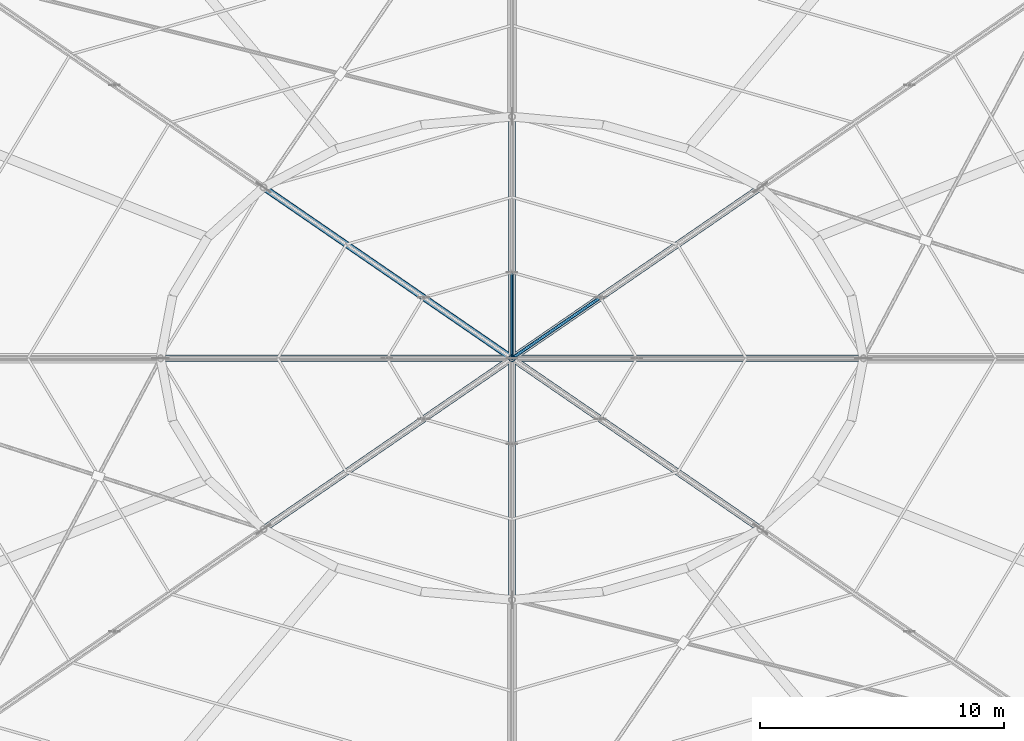
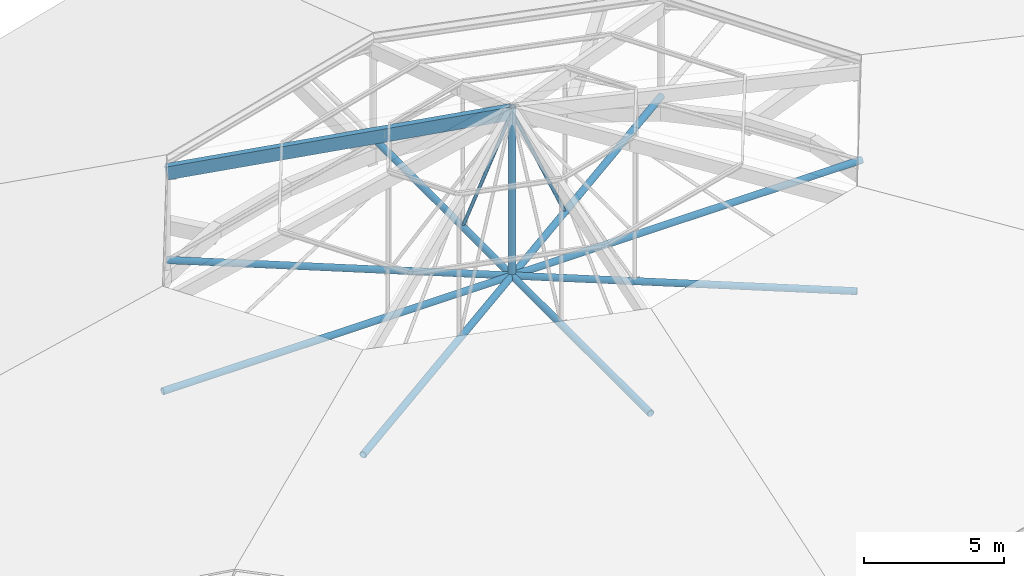
# One storey, part 24 of 66: 8 members.
"""IFC4 building model written with IfcOpenShell, lengths in metres."""

from ifc_helpers import new_model, si_unit, direction, frame, origin, origin_2d, place, context, subcontext, project, spatial, rectangle, hollow_circle, extrude, material, material_profile, profile_set, type_object, element, save


model = new_model("IFC4")

# Units and contexts
model_context = context("Model", 3, precision=1e-05, world=origin(), true_north=direction((0.0, 1.0)))
body_context = subcontext(model_context, "Body", "Model", "MODEL_VIEW")
ifc_project = project(units=[si_unit("LENGTHUNIT", "METRE"), si_unit("AREAUNIT", "SQUARE_METRE"), si_unit("VOLUMEUNIT", "CUBIC_METRE"), si_unit("PLANEANGLEUNIT", "RADIAN"), si_unit("MASSUNIT", "GRAM", prefix="KILO")], contexts=[model_context])

# Site, building, storey
site_placement = place(None, origin())
site = spatial("IfcSite", under=ifc_project, at=site_placement, CompositionType="ELEMENT")
building_placement = place(site_placement, origin())
building = spatial("IfcBuilding", under=site, at=building_placement, Name="Zornivar Specialist Clinic", CompositionType="ELEMENT")
storey_placement = place(building_placement, frame((0.0, 0.0, 16.0)))
storey = spatial("IfcBuildingStorey", under=building, at=storey_placement, Name="L04", CompositionType="ELEMENT", Elevation=16.0)

# Members
ifc_material_1 = material(Name="Steel S355J2", Category="steel")
ifc_material_profile_1 = material_profile(ifc_material_1, hollow_circle(Radius=0.136474609375, WallThickness=0.012451171875, at=origin_2d()), Name="CHS 273x12.5")
ifc_profile_set_1 = profile_set([ifc_material_profile_1], Name="Steel S355J2")
member_type_1 = type_object("IfcMemberType", Name="MEM-CHORD-CHS273", PredefinedType="CHORD", material=ifc_profile_set_1)
member_1_placement = place(storey_placement, frame((108.0, 57.60009765625, 0.360107421875), z_axis=(-1.0, 0.0, 0.0), x_axis=(0.0, -1.0, 0.0)))
element("IfcMember", 1, at=member_1_placement, inside=storey, type_object=member_type_1, Name="mem:V1:L04:diamtie:0", PredefinedType="CHORD", context=body_context, shape_type="SweptSolid", body=[
    extrude(hollow_circle(Radius=0.136474609375, WallThickness=0.012451171875, at=origin_2d()), origin(), (0.0, 0.0, 1.0), 28.800048828125),
])
member_2_placement = place(storey_placement, frame((103.781982421875, 64.60009765625, 0.360107421875), z_axis=(-0.824046824538, -0.566521695056, 0.0), x_axis=(0.566521695056, -0.824046824538, 0.0)))
element("IfcMember", 2, at=member_2_placement, inside=storey, type_object=member_type_1, Name="mem:V1:L04:diamtie:1", PredefinedType="CHORD", context=body_context, shape_type="SweptSolid", body=[
    extrude(hollow_circle(Radius=0.136474609375, WallThickness=0.012451171875, at=origin_2d()), origin(), (0.0, 0.0, 1.0), 24.712158203125),
])
member_3_placement = place(storey_placement, frame((93.60009765625, 67.5, 0.360107421875), z_axis=(0.0, -1.0, 0.0), x_axis=(1.0, 0.0, 0.0)))
element("IfcMember", 3, at=member_3_placement, inside=storey, type_object=member_type_1, Name="mem:V1:L04:diamtie:2", PredefinedType="CHORD", context=body_context, shape_type="SweptSolid", body=[
    extrude(hollow_circle(Radius=0.136474609375, WallThickness=0.012451171875, at=origin_2d()), origin(), (0.0, 0.0, 1.0), 19.800048828125),
])
member_4_placement = place(storey_placement, frame((83.41796875, 64.60009765625, 0.360107421875), z_axis=(0.824046824538, -0.566521695056, 0.0), x_axis=(0.566521695056, 0.824046824538, 0.0)))
element("IfcMember", 4, at=member_4_placement, inside=storey, type_object=member_type_1, Name="mem:V1:L04:diamtie:3", PredefinedType="CHORD", context=body_context, shape_type="SweptSolid", body=[
    extrude(hollow_circle(Radius=0.136474609375, WallThickness=0.012451171875, at=origin_2d()), origin(), (0.0, 0.0, 1.0), 24.712158203125),
])
member_5_placement = place(storey_placement, frame((93.60009765625, 57.60009765625, 0.239990234375), z_axis=(0.0, 0.0, 1.0), x_axis=(1.0, 0.0, 0.0)))
element("IfcMember", 5, at=member_5_placement, inside=storey, type_object=member_type_1, Name="mem:V1:L04:kingpost", PredefinedType="CHORD", context=body_context, shape_type="SweptSolid", body=[
    extrude(hollow_circle(Radius=0.136474609375, WallThickness=0.012451171875, at=origin_2d()), origin(), (0.0, 0.0, 1.0), 7.4990234375),
])
ifc_material_2 = material(Name="Steel S355J2", Category="steel")
ifc_material_profile_2 = material_profile(ifc_material_2, hollow_circle(Radius=0.06982421875, WallThickness=0.008056640625, at=origin_2d()), Name="CHS 139.7x8")
ifc_profile_set_2 = profile_set([ifc_material_profile_2], Name="Steel S355J2")
member_type_2 = type_object("IfcMemberType", Name="MEM-DIAG-CHS140", PredefinedType="BRACE", material=ifc_profile_set_2)
member_6_placement = place(storey_placement, frame((97.219970703125, 60.089111328125, 0.360107421875), z_axis=(-0.431847727528, -0.296937180964, 0.851666513836), x_axis=(0.566583069547, -0.824004626991, 0.0)))
element("IfcMember", 6, at=member_6_placement, inside=storey, type_object=member_type_2, Name="mem:V1:L04:diag4:1", PredefinedType="BRACE", context=body_context, shape_type="SweptSolid", body=[
    extrude(hollow_circle(Radius=0.06982421875, WallThickness=0.008056640625, at=origin_2d()), origin(), (0.0, 0.0, 1.0), 8.38232421875),
])
member_7_placement = place(storey_placement, frame((93.60009765625, 61.1201171875, 0.360107421875), z_axis=(0.0, -0.442237730946, 0.896897870065), x_axis=(1.0, 0.0, 0.0)))
element("IfcMember", 7, at=member_7_placement, inside=storey, type_object=member_type_2, Name="mem:V1:L04:diag4:2", PredefinedType="BRACE", context=body_context, shape_type="SweptSolid", body=[
    extrude(hollow_circle(Radius=0.06982421875, WallThickness=0.008056640625, at=origin_2d()), origin(), (0.0, 0.0, 1.0), 7.95947265625),
])
ifc_material_3 = material(Name="Glulam GL28h", Category="wood")
ifc_material_profile_3 = material_profile(ifc_material_3, rectangle(XDim=0.239990234375, YDim=0.56005859375, at=origin_2d()), Name="GL28h 240x560")
ifc_profile_set_3 = profile_set([ifc_material_profile_3], Name="Glulam GL28h")
member_type_3 = type_object("IfcMemberType", Name="MEM-RAFTER-GL560", PredefinedType="RAFTER", material=ifc_profile_set_3)
member_8_placement = place(storey_placement, frame((83.41796875, 64.60009765625, 4.2041015625), z_axis=(0.796226949056, -0.547389322479, 0.257657864683), x_axis=(0.566517083003, 0.824049995247, 0.0)))
element("IfcMember", 8, at=member_8_placement, inside=storey, type_object=member_type_3, Name="mem:V1:L04:raf2:3", PredefinedType="RAFTER", context=body_context, shape_type="SweptSolid", body=[
    extrude(rectangle(XDim=0.239990234375, YDim=0.56005859375, at=origin_2d()), origin(), (0.0, 0.0, 1.0), 12.7880859375),
])

save(model, "model.ifc")
